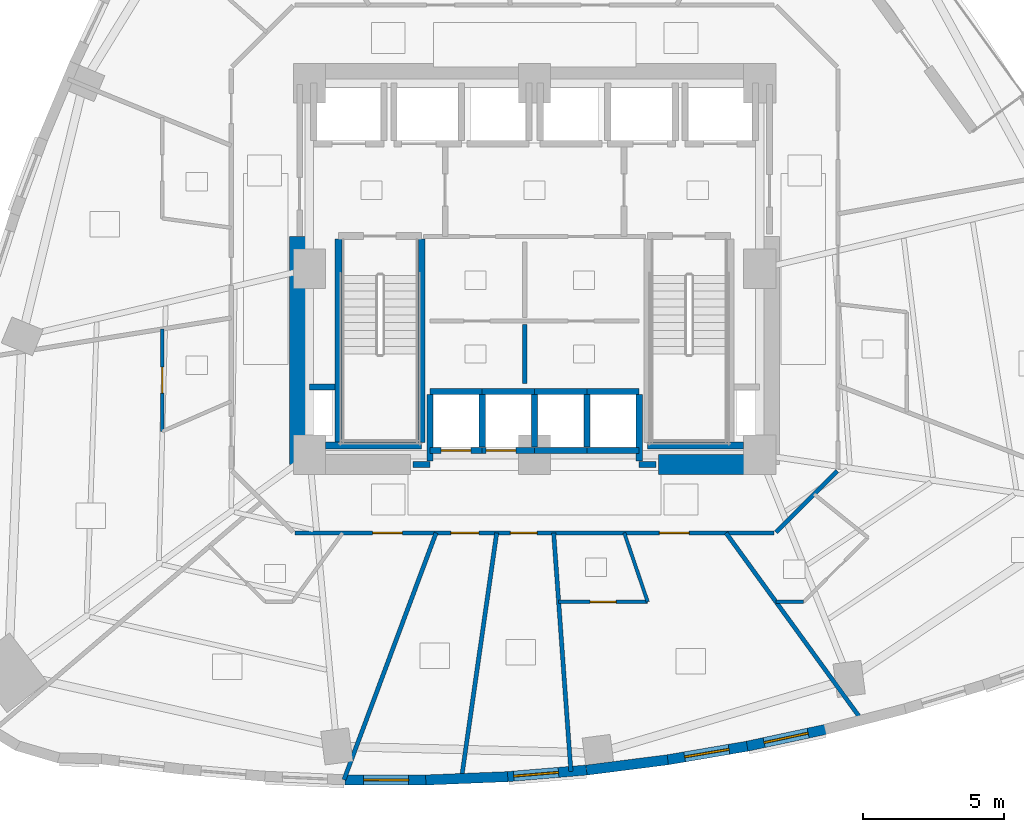
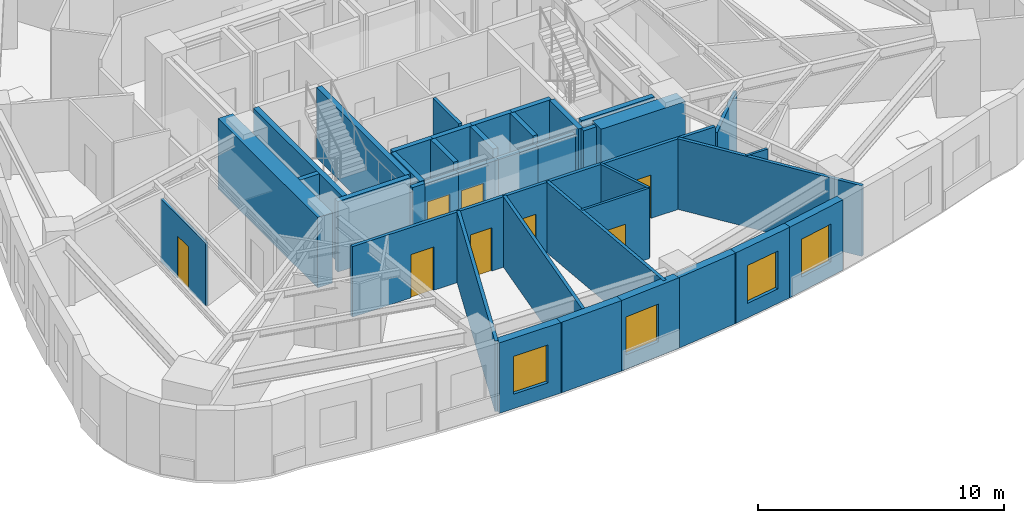
# One storey, part 8 of 15: 39 walls, 8 doors, 4 windows, 12 openings.
"""IFC4 building model written with IfcOpenShell, lengths in metres."""

from ifc_helpers import new_model, si_unit, direction, frame, frame_2d, origin, place, context, subcontext, project, spatial, rectangle, extrude, material, layer, layer_set, type_object, element, fill, save


model = new_model("IFC4")

# Units and contexts
model_context = context("Model", 3, precision=1e-05, world=origin(), true_north=direction((0.0, 1.0)))
body_context = subcontext(model_context, "Body", "Model", "MODEL_VIEW")
ifc_project = project(units=[si_unit("LENGTHUNIT", "METRE"), si_unit("AREAUNIT", "SQUARE_METRE"), si_unit("VOLUMEUNIT", "CUBIC_METRE"), si_unit("PLANEANGLEUNIT", "RADIAN"), si_unit("MASSUNIT", "GRAM", prefix="KILO")], contexts=[model_context])

# Site, building, storey
site_placement = place(None, origin())
site = spatial("IfcSite", under=ifc_project, at=site_placement, CompositionType="ELEMENT")
building_placement = place(site_placement, origin())
building = spatial("IfcBuilding", under=site, at=building_placement, Name="Ndelora Gate Hotel", CompositionType="ELEMENT")
storey_placement = place(building_placement, frame((0.0, 0.0, 53.0)))
storey = spatial("IfcBuildingStorey", under=building, at=storey_placement, Name="L12", CompositionType="ELEMENT", Elevation=53.0)

# Wall, opening, window
ifc_material_1 = material(Name="Clay Brick Masonry", Category="masonry")
ifc_layer_1 = layer(ifc_material_1, 0.360107421875)
ifc_layer_set_1 = layer_set([ifc_layer_1], Name="Clay Brick Masonry")
wall_type_1 = type_object("IfcWallType", Name="WL-BRICK-360", PredefinedType="SOLIDWALL", material=ifc_layer_set_1)
wall_1_placement = place(storey_placement, frame((-3.81591796875, -18.160400390625, 0.0), z_axis=(0.0, 0.0, 1.0), x_axis=(-0.999998606938, 0.001669168097, 0.0)))
wall_1 = element("IfcWall", 1, at=wall_1_placement, inside=storey, type_object=wall_type_1, Name="L12 Tower Brick Pier-and-Spandrel Wall TWR-32", PredefinedType="SOLIDWALL", context=body_context, shape_type="SweptSolid", body=[
    extrude(rectangle(XDim=2.92529296875, YDim=0.360107421875, at=frame_2d((1.462646484375, 0.0))), origin(), (0.0, 0.0, 1.0), 3.5),
])
opening_1_placement = place(wall_1_placement, frame((0.66259765625, 0.0, 0.719970703125)))
opening_1 = element("IfcOpeningElement", 2, at=opening_1_placement, cuts=wall_1, Name="Opening W01", PredefinedType="OPENING", context=body_context, shape_type="SweptSolid", body=[
    extrude(rectangle(XDim=1.60009765625, YDim=1.8798828125, at=frame_2d((0.800048828125, 0.93994140625))), frame((0.0, 0.18994140625, 0.0), z_axis=(0.0, -1.0, 0.0), x_axis=(1.0, 0.0, 0.0)), (0.0, 0.0, 1.0), 0.380126953125),
])
ifc_material_2 = material(Name="Insulated Low-E Double Glazing in Bronze Aluminium Frame", Category="aluminium")
window_type_1 = type_object("IfcWindowType", Name="WN-DEEP-1600", PartitioningType="SINGLE_PANEL", PredefinedType="WINDOW", material=ifc_material_2)
window_1_placement = place(opening_1_placement, origin())
window_1 = element("IfcWindow", 3, at=window_1_placement, inside=storey, type_object=window_type_1, Name="L12 Deep-Set Brick-Pier Window W01", OverallHeight=1.8798828125, OverallWidth=1.60009765625, PartitioningType="SINGLE_PANEL", PredefinedType="WINDOW", context=body_context, shape_type="SweptSolid", body=[
    extrude(rectangle(XDim=1.60009765625, YDim=1.8798828125, at=frame_2d((0.800048828125, 0.93994140625))), frame((0.0, 0.030029296875, 0.0), z_axis=(0.0, -1.0, 0.0), x_axis=(1.0, 0.0, 0.0)), (0.0, 0.0, 1.0), 0.06005859375),
])
fill(opening_1, window_1)

# Wall
wall_2_placement = place(storey_placement, frame((-0.953369140625, -18.04296875, 0.0), z_axis=(0.0, 0.0, 1.0), x_axis=(-0.99917451841, -0.040623660108, 0.0)))
element("IfcWall", 4, at=wall_2_placement, inside=storey, type_object=wall_type_1, Name="L12 Tower Brick Pier-and-Spandrel Wall TWR-33", PredefinedType="SOLIDWALL", context=body_context, shape_type="SweptSolid", body=[
    extrude(rectangle(XDim=2.914794921875, YDim=0.360107421875, at=frame_2d((1.45751953125, 0.0))), origin(), (0.0, 0.0, 1.0), 3.5),
])

# Wall, opening, window
wall_3_placement = place(storey_placement, frame((1.896484375, -17.8037109375, 0.0), z_axis=(0.0, 0.0, 1.0), x_axis=(-0.996530117069, -0.08323296086, 0.0)))
wall_3 = element("IfcWall", 5, at=wall_3_placement, inside=storey, type_object=wall_type_1, Name="L12 Tower Brick Pier-and-Spandrel Wall TWR-34", PredefinedType="SOLIDWALL", context=body_context, shape_type="SweptSolid", body=[
    extrude(rectangle(XDim=2.90966796875, YDim=0.360107421875, at=frame_2d((1.454833984375, 0.0))), origin(), (0.0, 0.0, 1.0), 3.5),
])
opening_2_placement = place(wall_3_placement, frame((1.0498046875, 0.0, 0.719970703125)))
opening_2 = element("IfcOpeningElement", 6, at=opening_2_placement, cuts=wall_3, Name="Opening W01", PredefinedType="OPENING", context=body_context, shape_type="SweptSolid", body=[
    extrude(rectangle(XDim=1.60009765625, YDim=1.8798828125, at=frame_2d((0.800048828125, 0.93994140625))), frame((0.0, 0.18994140625, 0.0), z_axis=(0.0, -1.0, 0.0), x_axis=(1.0, 0.0, 0.0)), (0.0, 0.0, 1.0), 0.380126953125),
])
window_2_placement = place(opening_2_placement, origin())
window_2 = element("IfcWindow", 7, at=window_2_placement, inside=storey, type_object=window_type_1, Name="L12 Deep-Set Brick-Pier Window W01", OverallHeight=1.8798828125, OverallWidth=1.60009765625, PartitioningType="SINGLE_PANEL", PredefinedType="WINDOW", context=body_context, shape_type="SweptSolid", body=[
    extrude(rectangle(XDim=1.60009765625, YDim=1.8798828125, at=frame_2d((0.800048828125, 0.93994140625))), frame((0.0, 0.030029296875, 0.0), z_axis=(0.0, -1.0, 0.0), x_axis=(1.0, 0.0, 0.0)), (0.0, 0.0, 1.0), 0.06005859375),
])
fill(opening_2, window_2)

# Wall
wall_4_placement = place(storey_placement, frame((4.733154296875, -17.443115234375, 0.0), z_axis=(0.0, 0.0, 1.0), x_axis=(-0.992068644888, -0.125697270578, 0.0)))
element("IfcWall", 8, at=wall_4_placement, inside=storey, type_object=wall_type_1, Name="L12 Tower Brick Pier-and-Spandrel Wall TWR-35", PredefinedType="SOLIDWALL", context=body_context, shape_type="SweptSolid", body=[
    extrude(rectangle(XDim=2.90966796875, YDim=0.360107421875, at=frame_2d((1.454833984375, 0.0))), origin(), (0.0, 0.0, 1.0), 3.5),
])

# Wall, opening, window
wall_5_placement = place(storey_placement, frame((7.55712890625, -16.960693359375, 0.0), z_axis=(0.0, 0.0, 1.0), x_axis=(-0.985782819652, -0.168024499637, 0.0)))
wall_5 = element("IfcWall", 9, at=wall_5_placement, inside=storey, type_object=wall_type_1, Name="L12 Tower Brick Pier-and-Spandrel Wall TWR-36", PredefinedType="SOLIDWALL", context=body_context, shape_type="SweptSolid", body=[
    extrude(rectangle(XDim=2.914794921875, YDim=0.360107421875, at=frame_2d((1.45751953125, 0.0))), origin(), (0.0, 0.0, 1.0), 3.5),
])
opening_3_placement = place(wall_5_placement, frame((0.657470703125, 0.0, 0.719970703125)))
opening_3 = element("IfcOpeningElement", 10, at=opening_3_placement, cuts=wall_5, Name="Opening W01", PredefinedType="OPENING", context=body_context, shape_type="SweptSolid", body=[
    extrude(rectangle(XDim=1.60009765625, YDim=1.8798828125, at=frame_2d((0.800048828125, 0.93994140625))), frame((0.0, 0.18994140625, 0.0), z_axis=(0.0, -1.0, 0.0), x_axis=(1.0, 0.0, 0.0)), (0.0, 0.0, 1.0), 0.380126953125),
])
window_3_placement = place(opening_3_placement, origin())
window_3 = element("IfcWindow", 11, at=window_3_placement, inside=storey, type_object=window_type_1, Name="L12 Deep-Set Brick-Pier Window W01", OverallHeight=1.8798828125, OverallWidth=1.60009765625, PartitioningType="SINGLE_PANEL", PredefinedType="WINDOW", context=body_context, shape_type="SweptSolid", body=[
    extrude(rectangle(XDim=1.60009765625, YDim=1.8798828125, at=frame_2d((0.800048828125, 0.93994140625))), frame((0.0, 0.030029296875, 0.0), z_axis=(0.0, -1.0, 0.0), x_axis=(1.0, 0.0, 0.0)), (0.0, 0.0, 1.0), 0.06005859375),
])
fill(opening_3, window_3)

wall_6_placement = place(storey_placement, frame((10.368408203125, -16.357177734375, 0.0), z_axis=(0.0, 0.0, 1.0), x_axis=(-0.977791419792, -0.209580388826, 0.0)))
wall_6 = element("IfcWall", 12, at=wall_6_placement, inside=storey, type_object=wall_type_1, Name="L12 Tower Brick Pier-and-Spandrel Wall TWR-37", PredefinedType="SOLIDWALL", context=body_context, shape_type="SweptSolid", body=[
    extrude(rectangle(XDim=2.925048828125, YDim=0.360107421875, at=frame_2d((1.46240234375, 0.0))), origin(), (0.0, 0.0, 1.0), 3.5),
])
opening_4_placement = place(wall_6_placement, frame((0.66259765625, 0.0, 0.719970703125)))
opening_4 = element("IfcOpeningElement", 13, at=opening_4_placement, cuts=wall_6, Name="Opening W03", PredefinedType="OPENING", context=body_context, shape_type="SweptSolid", body=[
    extrude(rectangle(XDim=1.60009765625, YDim=1.8798828125, at=frame_2d((0.800048828125, 0.93994140625))), frame((0.0, 0.18994140625, 0.0), z_axis=(0.0, -1.0, 0.0), x_axis=(1.0, 0.0, 0.0)), (0.0, 0.0, 1.0), 0.380126953125),
])
window_type_2 = type_object("IfcWindowType", Name="WN-CORN-2100", PartitioningType="SINGLE_PANEL", PredefinedType="WINDOW", material=ifc_material_2)
window_4_placement = place(opening_4_placement, origin())
window_4 = element("IfcWindow", 14, at=window_4_placement, inside=storey, type_object=window_type_2, Name="L12 Deep-Set Brick-Pier Window W03", OverallHeight=1.8798828125, OverallWidth=1.60009765625, PartitioningType="SINGLE_PANEL", PredefinedType="WINDOW", context=body_context, shape_type="SweptSolid", body=[
    extrude(rectangle(XDim=1.60009765625, YDim=1.8798828125, at=frame_2d((0.800048828125, 0.93994140625))), frame((0.0, 0.030029296875, 0.0), z_axis=(0.0, -1.0, 0.0), x_axis=(1.0, 0.0, 0.0)), (0.0, 0.0, 1.0), 0.06005859375),
])
fill(opening_4, window_4)

# Walls
ifc_material_3 = material(Name="Concrete C60/75", Category="concrete")
ifc_layer_2 = layer(ifc_material_3, 0.699951171875)
ifc_layer_set_2 = layer_set([ifc_layer_2], Name="Concrete C60/75")
wall_type_2 = type_object("IfcWallType", Name="WL-CORE-700", PredefinedType="SHEAR", material=ifc_layer_set_2)
wall_7_placement = place(storey_placement, frame((4.39990234375, -6.949951171875, 0.0), z_axis=(0.0, 0.0, 1.0), x_axis=(1.0, 0.0, 0.0)))
element("IfcWall", 15, at=wall_7_placement, inside=storey, type_object=wall_type_2, Name="L12 Core Shear Wall S-E", PredefinedType="SHEAR", context=body_context, shape_type="SweptSolid", body=[
    extrude(rectangle(XDim=3.9501953125, YDim=0.699951171875, at=frame_2d((1.97509765625, 0.0))), origin(), (0.0, 0.0, 1.0), 3.5),
])
wall_8_placement = place(storey_placement, frame((-8.35009765625, -6.949951171875, 0.0), z_axis=(0.0, 0.0, 1.0), x_axis=(0.0, 1.0, 0.0)))
element("IfcWall", 16, at=wall_8_placement, inside=storey, type_object=wall_type_2, Name="L12 Core Shear Wall W", PredefinedType="SHEAR", context=body_context, shape_type="SweptSolid", body=[
    extrude(rectangle(XDim=8.099853515625, YDim=0.699951171875, at=frame_2d((4.0498046875, 0.0))), origin(), (0.0, 0.0, 1.0), 3.5),
])
ifc_material_4 = material(Name="Concrete C40/50", Category="concrete")
ifc_layer_3 = layer(ifc_material_4, 0.199951171875)
ifc_layer_set_3 = layer_set([ifc_layer_3], Name="Concrete C40/50")
wall_type_3 = type_object("IfcWallType", Name="WL-FIRE-200", PredefinedType="PARTITIONING", material=ifc_layer_set_3)
for number, where, z_axis, x_axis, name in (
    (17, (-4.320068359375, -6.949951171875, 0.0), (0.0, 0.0, 1.0), (1.0, 0.0, 0.0), "L12 Interior Wall IW-2"),
    (18, (3.719970703125, -6.949951171875, 0.0), (0.0, 0.0, 1.0), (1.0, 0.0, 0.0), "L12 Interior Wall IW-2"),
):
    element("IfcWall", number, at=place(storey_placement, frame(where, z_axis=z_axis, x_axis=x_axis)), inside=storey, type_object=wall_type_3, Name=name, PredefinedType="PARTITIONING", context=body_context, shape_type="SweptSolid", body=[
        extrude(rectangle(XDim=0.60009765625, YDim=0.199951171875, at=frame_2d((0.300048828125, 0.0))), origin(), (0.0, 0.0, 1.0), 3.5),
    ])
ifc_material_5 = material(Name="Fire-Rated Gypsum Stud Partition", Category="gypsum")
ifc_layer_4 = layer(ifc_material_5, 0.14990234375)
ifc_layer_set_4 = layer_set([ifc_layer_4], Name="Fire-Rated Gypsum Stud Partition")
wall_type_4 = type_object("IfcWallType", Name="WL-PART-150", PredefinedType="PARTITIONING", material=ifc_layer_set_4)
wall_9_placement = place(storey_placement, frame((-0.35009765625, -4.080078125, 0.0), z_axis=(0.0, 0.0, 1.0), x_axis=(0.0, 1.0, 0.0)))
element("IfcWall", 19, at=wall_9_placement, inside=storey, type_object=wall_type_4, Name="L12 Interior Wall IW-5", PredefinedType="PARTITIONING", context=body_context, shape_type="SweptSolid", body=[
    extrude(rectangle(XDim=2.110107421875, YDim=0.14990234375, at=frame_2d((1.05517578125, 0.0))), origin(), (0.0, 0.0, 1.0), 3.5),
])

# Wall, openings, doors
wall_10_placement = place(storey_placement, frame((8.510009765625, -9.3798828125, 0.0), z_axis=(0.0, 0.0, 1.0), x_axis=(-1.0, 0.0, 0.0)))
wall_10 = element("IfcWall", 20, at=wall_10_placement, inside=storey, type_object=wall_type_4, Name="L12 Interior Wall IW-5", PredefinedType="PARTITIONING", context=body_context, shape_type="SweptSolid", body=[
    extrude(rectangle(XDim=17.02001953125, YDim=0.14990234375, at=frame_2d((8.510009765625, 0.0))), origin(), (0.0, 0.0, 1.0), 3.5),
])
opening_5_placement = place(wall_10_placement, frame((8.4189453125, 0.0, 0.0)))
opening_5 = element("IfcOpeningElement", 21, at=opening_5_placement, cuts=wall_10, Name="Opening D05", PredefinedType="OPENING", context=body_context, shape_type="SweptSolid", body=[
    extrude(rectangle(XDim=0.949951171875, YDim=2.10009765625, at=frame_2d((0.47509765625, 1.050048828125))), frame((0.0, 0.0849609375, 0.0), z_axis=(0.0, -1.0, 0.0), x_axis=(1.0, 0.0, 0.0)), (0.0, 0.0, 1.0), 0.169921875),
])
opening_6_placement = place(wall_10_placement, frame((10.48779296875, 0.0, 0.0)))
opening_6 = element("IfcOpeningElement", 22, at=opening_6_placement, cuts=wall_10, Name="Opening D01", PredefinedType="OPENING", context=body_context, shape_type="SweptSolid", body=[
    extrude(rectangle(XDim=1.0, YDim=2.14990234375, at=frame_2d((0.5, 1.074951171875))), frame((0.0, 0.0849609375, 0.0), z_axis=(0.0, -1.0, 0.0), x_axis=(1.0, 0.0, 0.0)), (0.0, 0.0, 1.0), 0.169921875),
])
opening_7_placement = place(wall_10_placement, frame((3.015380859375, 0.0, 0.0)))
opening_7 = element("IfcOpeningElement", 23, at=opening_7_placement, cuts=wall_10, Name="Opening D07", PredefinedType="OPENING", context=body_context, shape_type="SweptSolid", body=[
    extrude(rectangle(XDim=1.06005859375, YDim=2.14990234375, at=frame_2d((0.530029296875, 1.074951171875))), frame((0.0, 0.0849609375, 0.0), z_axis=(0.0, -1.0, 0.0), x_axis=(1.0, 0.0, 0.0)), (0.0, 0.0, 1.0), 0.169921875),
])
opening_8_placement = place(wall_10_placement, frame((13.208984375, 0.0, 0.0)))
opening_8 = element("IfcOpeningElement", 24, at=opening_8_placement, cuts=wall_10, Name="Opening D07", PredefinedType="OPENING", context=body_context, shape_type="SweptSolid", body=[
    extrude(rectangle(XDim=1.06005859375, YDim=2.14990234375, at=frame_2d((0.530029296875, 1.074951171875))), frame((0.0, 0.0849609375, 0.0), z_axis=(0.0, -1.0, 0.0), x_axis=(1.0, 0.0, 0.0)), (0.0, 0.0, 1.0), 0.169921875),
])
ifc_material_6 = material(Name="Accessible Restroom Wide-Clearance Door", Category="wood")
door_type_1 = type_object("IfcDoorType", Name="DR-ACC-950", OperationType="SINGLE_SWING_LEFT", PredefinedType="DOOR", material=ifc_material_6)
door_1_placement = place(opening_5_placement, origin())
door_1 = element("IfcDoor", 25, at=door_1_placement, inside=storey, type_object=door_type_1, Name="L12 Accessible WC Entrance Door", OperationType="SINGLE_SWING_RIGHT", OverallHeight=2.10009765625, OverallWidth=0.949951171875, PredefinedType="DOOR", context=body_context, shape_type="SweptSolid", body=[
    extrude(rectangle(XDim=0.949951171875, YDim=2.10009765625, at=frame_2d((0.47509765625, 1.050048828125))), frame((0.0, 0.02490234375, 0.0), z_axis=(0.0, -1.0, 0.0), x_axis=(1.0, 0.0, 0.0)), (0.0, 0.0, 1.0), 0.050048828125),
])
fill(opening_5, door_1)
ifc_material_7 = material(Name="Acoustic Hardwood Guest Entrance Door", Category="wood")
door_type_2 = type_object("IfcDoorType", Name="DR-COR-1000", OperationType="SINGLE_SWING_LEFT", PredefinedType="DOOR", material=ifc_material_7)
door_2_placement = place(opening_6_placement, origin())
door_2 = element("IfcDoor", 26, at=door_2_placement, inside=storey, type_object=door_type_2, Name="L12 Housekeeping and Linen Room Entrance Door", OperationType="SINGLE_SWING_LEFT", OverallHeight=2.14990234375, OverallWidth=1.0, PredefinedType="DOOR", context=body_context, shape_type="SweptSolid", body=[
    extrude(rectangle(XDim=1.0, YDim=2.14990234375, at=frame_2d((0.5, 1.074951171875))), frame((0.0, 0.02490234375, 0.0), z_axis=(0.0, -1.0, 0.0), x_axis=(1.0, 0.0, 0.0)), (0.0, 0.0, 1.0), 0.050048828125),
])
fill(opening_6, door_2)
ifc_material_8 = material(Name="Diplomatic Suite Acoustic Entrance Door", Category="wood")
door_type_3 = type_object("IfcDoorType", Name="DR-SUITE-1060", OperationType="SINGLE_SWING_LEFT", PredefinedType="DOOR", material=ifc_material_8)
door_3_placement = place(opening_7_placement, origin())
door_3 = element("IfcDoor", 27, at=door_3_placement, inside=storey, type_object=door_type_3, Name="L12 Corner Panorama Suite 1501 Entrance Door", OperationType="SINGLE_SWING_RIGHT", OverallHeight=2.14990234375, OverallWidth=1.06005859375, PredefinedType="DOOR", context=body_context, shape_type="SweptSolid", body=[
    extrude(rectangle(XDim=1.06005859375, YDim=2.14990234375, at=frame_2d((0.530029296875, 1.074951171875))), frame((0.0, 0.02490234375, 0.0), z_axis=(0.0, -1.0, 0.0), x_axis=(1.0, 0.0, 0.0)), (0.0, 0.0, 1.0), 0.050048828125),
])
fill(opening_7, door_3)
door_4_placement = place(opening_8_placement, origin())
door_4 = element("IfcDoor", 28, at=door_4_placement, inside=storey, type_object=door_type_3, Name="L12 Twin Junior Suite 1507 Entrance Door", OperationType="SINGLE_SWING_RIGHT", OverallHeight=2.14990234375, OverallWidth=1.06005859375, PredefinedType="DOOR", context=body_context, shape_type="SweptSolid", body=[
    extrude(rectangle(XDim=1.06005859375, YDim=2.14990234375, at=frame_2d((0.530029296875, 1.074951171875))), frame((0.0, 0.02490234375, 0.0), z_axis=(0.0, -1.0, 0.0), x_axis=(1.0, 0.0, 0.0)), (0.0, 0.0, 1.0), 0.050048828125),
])
fill(opening_8, door_4)

# Walls
wall_11_placement = place(storey_placement, frame((10.751708984375, -7.17822265625, 0.0), z_axis=(0.0, 0.0, 1.0), x_axis=(-0.707067066127, -0.707146494016, 0.0)))
element("IfcWall", 29, at=wall_11_placement, inside=storey, type_object=wall_type_4, Name="L12 Interior Wall IW-5", PredefinedType="PARTITIONING", context=body_context, shape_type="SweptSolid", body=[
    extrude(rectangle(XDim=3.07373046875, YDim=0.14990234375, at=frame_2d((1.536865234375, 0.0))), origin(), (0.0, 0.0, 1.0), 3.1201171875),
])
wall_12_placement = place(storey_placement, frame((0.678466796875, -9.3798828125, 0.0), z_axis=(0.0, 0.0, 1.0), x_axis=(0.072123053532, -0.997395741493, 0.0)))
element("IfcWall", 30, at=wall_12_placement, inside=storey, type_object=wall_type_4, Name="L12 Interior Wall IW-5", PredefinedType="PARTITIONING", context=body_context, shape_type="SweptSolid", body=[
    extrude(rectangle(XDim=8.49658203125, YDim=0.14990234375, at=frame_2d((4.248291015625, 0.0))), origin(), (0.0, 0.0, 1.0), 3.5),
])
wall_13_placement = place(storey_placement, frame((6.802490234375, -9.3798828125, 0.0), z_axis=(0.0, 0.0, 1.0), x_axis=(0.587056194983, -0.80954618394, 0.0)))
element("IfcWall", 31, at=wall_13_placement, inside=storey, type_object=wall_type_4, Name="L12 Interior Wall IW-5", PredefinedType="PARTITIONING", context=body_context, shape_type="SweptSolid", body=[
    extrude(rectangle(XDim=8.215576171875, YDim=0.14990234375, at=frame_2d((4.10791015625, 0.0))), origin(), (0.0, 0.0, 1.0), 3.5),
])
wall_14_placement = place(storey_placement, frame((-3.49951171875, -9.3798828125, 0.0), z_axis=(0.0, 0.0, 1.0), x_axis=(-0.349539963134, -0.936921455711, 0.0)))
element("IfcWall", 32, at=wall_14_placement, inside=storey, type_object=wall_type_4, Name="L12 Interior Wall IW-5", PredefinedType="PARTITIONING", context=body_context, shape_type="SweptSolid", body=[
    extrude(rectangle(XDim=9.363525390625, YDim=0.14990234375, at=frame_2d((4.681640625, 0.0))), origin(), (0.0, 0.0, 1.0), 3.5),
])
wall_15_placement = place(storey_placement, frame((-1.34521484375, -9.3798828125, 0.0), z_axis=(0.0, 0.0, 1.0), x_axis=(-0.141956162639, -0.989872945326, 0.0)))
element("IfcWall", 33, at=wall_15_placement, inside=storey, type_object=wall_type_4, Name="L12 Interior Wall IW-5", PredefinedType="PARTITIONING", context=body_context, shape_type="SweptSolid", body=[
    extrude(rectangle(XDim=8.8193359375, YDim=0.14990234375, at=frame_2d((4.40966796875, 0.0))), origin(), (0.0, 0.0, 1.0), 3.5),
])
ifc_layer_5 = layer(ifc_material_4, 0.219970703125)
ifc_layer_set_5 = layer_set([ifc_layer_5], Name="Concrete C40/50")
wall_type_5 = type_object("IfcWallType", Name="WL-SHAFT-220", PredefinedType="PARTITIONING", material=ifc_layer_set_5)
wall_16_placement = place(storey_placement, frame((-8.0, -4.199951171875, 0.0), z_axis=(0.0, 0.0, 1.0), x_axis=(1.0, 0.0, 0.0)))
element("IfcWall", 34, at=wall_16_placement, inside=storey, type_object=wall_type_5, Name="L12 Interior Wall IW-1", PredefinedType="PARTITIONING", context=body_context, shape_type="SweptSolid", body=[
    extrude(rectangle(XDim=0.909912109375, YDim=0.219970703125, at=frame_2d((0.455078125, 0.0))), origin(), (0.0, 0.0, 1.0), 3.5),
])

# Wall, opening, door
wall_17_placement = place(storey_placement, frame((-3.719970703125, -6.449951171875, 0.0), z_axis=(0.0, 0.0, 1.0), x_axis=(1.0, 0.0, 0.0)))
wall_17 = element("IfcWall", 35, at=wall_17_placement, inside=storey, type_object=wall_type_5, Name="L12 Interior Wall IW-1", PredefinedType="PARTITIONING", context=body_context, shape_type="SweptSolid", body=[
    extrude(rectangle(XDim=1.85986328125, YDim=0.219970703125, at=frame_2d((0.929931640625, 0.0))), origin(), (0.0, 0.0, 1.0), 3.080078125),
])
opening_9_placement = place(wall_17_placement, frame((0.39990234375, 0.0, 0.0)))
opening_9 = element("IfcOpeningElement", 36, at=opening_9_placement, cuts=wall_17, Name="Opening LD1", PredefinedType="OPENING", context=body_context, shape_type="SweptSolid", body=[
    extrude(rectangle(XDim=1.06005859375, YDim=2.14990234375, at=frame_2d((0.530029296875, 1.074951171875))), frame((0.0, 0.1201171875, 0.0), z_axis=(0.0, -1.0, 0.0), x_axis=(1.0, 0.0, 0.0)), (0.0, 0.0, 1.0), 0.239990234375),
])
ifc_material_9 = material(Name="Brushed Bronze Stainless Lift Landing Door", Category="metal")
door_type_4 = type_object("IfcDoorType", Name="DR-LD1", OperationType="DOUBLE_DOOR_SLIDING", PredefinedType="DOOR", material=ifc_material_9)
door_5_placement = place(opening_9_placement, origin())
door_5 = element("IfcDoor", 37, at=door_5_placement, inside=storey, type_object=door_type_4, Name="L12 Lift Landing Sliding Door P1A", OperationType="DOUBLE_DOOR_SLIDING", OverallHeight=2.14990234375, OverallWidth=1.06005859375, PredefinedType="DOOR", context=body_context, shape_type="SweptSolid", body=[
    extrude(rectangle(XDim=1.06005859375, YDim=2.14990234375, at=frame_2d((0.530029296875, 1.074951171875))), frame((0.0, 0.02490234375, 0.0), z_axis=(0.0, -1.0, 0.0), x_axis=(1.0, 0.0, 0.0)), (0.0, 0.0, 1.0), 0.050048828125),
])
fill(opening_9, door_5)

# Walls
wall_18_placement = place(storey_placement, frame((-3.719970703125, -4.35009765625, 0.0), z_axis=(0.0, 0.0, 1.0), x_axis=(1.0, 0.0, 0.0)))
element("IfcWall", 38, at=wall_18_placement, inside=storey, type_object=wall_type_5, Name="L12 Interior Wall IW-1", PredefinedType="PARTITIONING", context=body_context, shape_type="SweptSolid", body=[
    extrude(rectangle(XDim=1.85986328125, YDim=0.219970703125, at=frame_2d((0.929931640625, 0.0))), origin(), (0.0, 0.0, 1.0), 3.5),
])
wall_19_placement = place(storey_placement, frame((-3.719970703125, -6.830078125, 0.0), z_axis=(0.0, 0.0, 1.0), x_axis=(0.0, 1.0, 0.0)))
element("IfcWall", 39, at=wall_19_placement, inside=storey, type_object=wall_type_5, Name="L12 Interior Wall IW-1", PredefinedType="PARTITIONING", context=body_context, shape_type="SweptSolid", body=[
    extrude(rectangle(XDim=2.360107421875, YDim=0.219970703125, at=frame_2d((1.18017578125, 0.0))), origin(), (0.0, 0.0, 1.0), 3.5),
])
wall_20_placement = place(storey_placement, frame((-1.860107421875, -6.330078125, 0.0), z_axis=(0.0, 0.0, 1.0), x_axis=(0.0, 1.0, 0.0)))
element("IfcWall", 40, at=wall_20_placement, inside=storey, type_object=wall_type_5, Name="L12 Interior Wall IW-1", PredefinedType="PARTITIONING", context=body_context, shape_type="SweptSolid", body=[
    extrude(rectangle(XDim=1.860107421875, YDim=0.219970703125, at=frame_2d((0.93017578125, 0.0))), origin(), (0.0, 0.0, 1.0), 3.5),
])

# Wall, opening, door
wall_21_placement = place(storey_placement, frame((-1.860107421875, -6.449951171875, 0.0), z_axis=(0.0, 0.0, 1.0), x_axis=(1.0, 0.0, 0.0)))
wall_21 = element("IfcWall", 41, at=wall_21_placement, inside=storey, type_object=wall_type_5, Name="L12 Interior Wall IW-1", PredefinedType="PARTITIONING", context=body_context, shape_type="SweptSolid", body=[
    extrude(rectangle(XDim=1.860107421875, YDim=0.219970703125, at=frame_2d((0.93017578125, 0.0))), origin(), (0.0, 0.0, 1.0), 3.080078125),
])
opening_10_placement = place(wall_21_placement, frame((0.139892578125, 0.0, 0.0)))
opening_10 = element("IfcOpeningElement", 42, at=opening_10_placement, cuts=wall_21, Name="Opening LD1", PredefinedType="OPENING", context=body_context, shape_type="SweptSolid", body=[
    extrude(rectangle(XDim=1.06005859375, YDim=2.14990234375, at=frame_2d((0.530029296875, 1.074951171875))), frame((0.0, 0.1201171875, 0.0), z_axis=(0.0, -1.0, 0.0), x_axis=(1.0, 0.0, 0.0)), (0.0, 0.0, 1.0), 0.239990234375),
])
door_6_placement = place(opening_10_placement, origin())
door_6 = element("IfcDoor", 43, at=door_6_placement, inside=storey, type_object=door_type_4, Name="L12 Lift Landing Sliding Door P1B", OperationType="DOUBLE_DOOR_SLIDING", OverallHeight=2.14990234375, OverallWidth=1.06005859375, PredefinedType="DOOR", context=body_context, shape_type="SweptSolid", body=[
    extrude(rectangle(XDim=1.06005859375, YDim=2.14990234375, at=frame_2d((0.530029296875, 1.074951171875))), frame((0.0, 0.02490234375, 0.0), z_axis=(0.0, -1.0, 0.0), x_axis=(1.0, 0.0, 0.0)), (0.0, 0.0, 1.0), 0.050048828125),
])
fill(opening_10, door_6)

# Walls
for number, where, z_axis, x_axis, name in (
    (44, (-1.860107421875, -4.35009765625, 0.0), (0.0, 0.0, 1.0), (1.0, 0.0, 0.0), "L12 Interior Wall IW-1"),
    (45, (0.0, -6.330078125, 0.0), (0.0, 0.0, 1.0), (0.0, 1.0, 0.0), "L12 Interior Wall IW-1"),
):
    element("IfcWall", number, at=place(storey_placement, frame(where, z_axis=z_axis, x_axis=x_axis)), inside=storey, type_object=wall_type_5, Name=name, PredefinedType="PARTITIONING", context=body_context, shape_type="SweptSolid", body=[
        extrude(rectangle(XDim=1.860107421875, YDim=0.219970703125, at=frame_2d((0.93017578125, 0.0))), origin(), (0.0, 0.0, 1.0), 3.5),
    ])
wall_22_placement = place(storey_placement, frame((0.0, -6.449951171875, 0.0), z_axis=(0.0, 0.0, 1.0), x_axis=(1.0, 0.0, 0.0)))
element("IfcWall", 46, at=wall_22_placement, inside=storey, type_object=wall_type_5, Name="L12 Interior Wall IW-1", PredefinedType="PARTITIONING", context=body_context, shape_type="SweptSolid", body=[
    extrude(rectangle(XDim=1.860107421875, YDim=0.219970703125, at=frame_2d((0.93017578125, 0.0))), origin(), (0.0, 0.0, 1.0), 3.080078125),
])
for number, where, z_axis, x_axis, name in (
    (47, (0.0, -4.35009765625, 0.0), (0.0, 0.0, 1.0), (1.0, 0.0, 0.0), "L12 Interior Wall IW-1"),
    (48, (1.860107421875, -6.330078125, 0.0), (0.0, 0.0, 1.0), (0.0, 1.0, 0.0), "L12 Interior Wall IW-1"),
):
    element("IfcWall", number, at=place(storey_placement, frame(where, z_axis=z_axis, x_axis=x_axis)), inside=storey, type_object=wall_type_5, Name=name, PredefinedType="PARTITIONING", context=body_context, shape_type="SweptSolid", body=[
        extrude(rectangle(XDim=1.860107421875, YDim=0.219970703125, at=frame_2d((0.93017578125, 0.0))), origin(), (0.0, 0.0, 1.0), 3.5),
    ])
wall_23_placement = place(storey_placement, frame((1.860107421875, -6.449951171875, 0.0), z_axis=(0.0, 0.0, 1.0), x_axis=(1.0, 0.0, 0.0)))
element("IfcWall", 49, at=wall_23_placement, inside=storey, type_object=wall_type_5, Name="L12 Interior Wall IW-1", PredefinedType="PARTITIONING", context=body_context, shape_type="SweptSolid", body=[
    extrude(rectangle(XDim=1.85986328125, YDim=0.219970703125, at=frame_2d((0.929931640625, 0.0))), origin(), (0.0, 0.0, 1.0), 3.080078125),
])
wall_24_placement = place(storey_placement, frame((1.860107421875, -4.35009765625, 0.0), z_axis=(0.0, 0.0, 1.0), x_axis=(1.0, 0.0, 0.0)))
element("IfcWall", 50, at=wall_24_placement, inside=storey, type_object=wall_type_5, Name="L12 Interior Wall IW-1", PredefinedType="PARTITIONING", context=body_context, shape_type="SweptSolid", body=[
    extrude(rectangle(XDim=1.85986328125, YDim=0.219970703125, at=frame_2d((0.929931640625, 0.0))), origin(), (0.0, 0.0, 1.0), 3.5),
])
wall_25_placement = place(storey_placement, frame((3.719970703125, -6.830078125, 0.0), z_axis=(0.0, 0.0, 1.0), x_axis=(0.0, 1.0, 0.0)))
element("IfcWall", 51, at=wall_25_placement, inside=storey, type_object=wall_type_5, Name="L12 Interior Wall IW-1", PredefinedType="PARTITIONING", context=body_context, shape_type="SweptSolid", body=[
    extrude(rectangle(XDim=2.360107421875, YDim=0.219970703125, at=frame_2d((1.18017578125, 0.0))), origin(), (0.0, 0.0, 1.0), 3.5),
])
ifc_material_10 = material(Name="Concrete C50/60", Category="concrete")
ifc_layer_6 = layer(ifc_material_10, 0.239990234375)
ifc_layer_set_6 = layer_set([ifc_layer_6], Name="Concrete C50/60")
wall_type_6 = type_object("IfcWallType", Name="WL-STAIR-240", PredefinedType="SHEAR", material=ifc_layer_set_6)
wall_26_placement = place(storey_placement, frame((-6.969970703125, -6.159912109375, 0.0), z_axis=(0.0, 0.0, 1.0), x_axis=(0.0, 1.0, 0.0)))
element("IfcWall", 52, at=wall_26_placement, inside=storey, type_object=wall_type_6, Name="L12 Stair Core Shear Wall SW-ST", PredefinedType="SHEAR", context=body_context, shape_type="SweptSolid", body=[
    extrude(rectangle(XDim=7.219970703125, YDim=0.239990234375, at=frame_2d((3.60986328125, 0.0))), origin(), (0.0, 0.0, 1.0), 3.5),
])
wall_27_placement = place(storey_placement, frame((-7.425048828125, -6.27001953125, 0.0), z_axis=(0.0, 0.0, 1.0), x_axis=(1.0, 0.0, 0.0)))
element("IfcWall", 53, at=wall_27_placement, inside=storey, type_object=wall_type_6, Name="L12 Stair Core Shear Wall SW-ST", PredefinedType="SHEAR", context=body_context, shape_type="SweptSolid", body=[
    extrude(rectangle(XDim=3.4150390625, YDim=0.239990234375, at=frame_2d((1.70751953125, 0.0))), origin(), (0.0, 0.0, 1.0), 3.5),
])
wall_28_placement = place(storey_placement, frame((-4.010009765625, -6.159912109375, 0.0), z_axis=(0.0, 0.0, 1.0), x_axis=(0.0, 1.0, 0.0)))
element("IfcWall", 54, at=wall_28_placement, inside=storey, type_object=wall_type_6, Name="L12 Stair Core Shear Wall SW-ST", PredefinedType="SHEAR", context=body_context, shape_type="SweptSolid", body=[
    extrude(rectangle(XDim=7.219970703125, YDim=0.239990234375, at=frame_2d((3.60986328125, 0.0))), origin(), (0.0, 0.0, 1.0), 3.5),
])
wall_29_placement = place(storey_placement, frame((4.010009765625, -6.27001953125, 0.0), z_axis=(0.0, 0.0, 1.0), x_axis=(1.0, 0.0, 0.0)))
element("IfcWall", 55, at=wall_29_placement, inside=storey, type_object=wall_type_6, Name="L12 Stair Core Shear Wall SW-ST", PredefinedType="SHEAR", context=body_context, shape_type="SweptSolid", body=[
    extrude(rectangle(XDim=3.4150390625, YDim=0.239990234375, at=frame_2d((1.70751953125, 0.0))), origin(), (0.0, 0.0, 1.0), 3.5),
])
ifc_material_11 = material(Name="Moisture-Resistant Bathroom Tile Partition", Category="gypsum")
ifc_layer_7 = layer(ifc_material_11, 0.1201171875)
ifc_layer_set_7 = layer_set([ifc_layer_7], Name="Moisture-Resistant Bathroom Tile Partition")
wall_type_7 = type_object("IfcWallType", Name="WL-WET-120", PredefinedType="PARTITIONING", material=ifc_layer_set_7)
wall_30_placement = place(storey_placement, frame((3.187744140625, -9.3798828125, 0.0), z_axis=(0.0, 0.0, 1.0), x_axis=(0.321797870112, -0.946808391804, 0.0)))
element("IfcWall", 56, at=wall_30_placement, inside=storey, type_object=wall_type_7, Name="L12 Interior Wall IW-7", PredefinedType="PARTITIONING", context=body_context, shape_type="SweptSolid", body=[
    extrude(rectangle(XDim=2.587890625, YDim=0.1201171875, at=frame_2d((1.2939453125, 0.0))), origin(), (0.0, 0.0, 1.0), 3.5),
])

# Wall, opening, door
wall_31_placement = place(storey_placement, frame((4.0205078125, -11.830078125, 0.0), z_axis=(0.0, 0.0, 1.0), x_axis=(-1.0, 0.0, 0.0)))
wall_31 = element("IfcWall", 57, at=wall_31_placement, inside=storey, type_object=wall_type_7, Name="L12 Interior Wall IW-7", PredefinedType="PARTITIONING", context=body_context, shape_type="SweptSolid", body=[
    extrude(rectangle(XDim=3.164794921875, YDim=0.1201171875, at=frame_2d((1.58251953125, 0.0))), origin(), (0.0, 0.0, 1.0), 3.5),
])
opening_11_placement = place(wall_31_placement, frame((1.12255859375, 0.0, 0.0)))
opening_11 = element("IfcOpeningElement", 58, at=opening_11_placement, cuts=wall_31, Name="Opening D03", PredefinedType="OPENING", context=body_context, shape_type="SweptSolid", body=[
    extrude(rectangle(XDim=0.919921875, YDim=2.10009765625, at=frame_2d((0.4599609375, 1.050048828125))), frame((0.0, 0.070068359375, 0.0), z_axis=(0.0, -1.0, 0.0), x_axis=(1.0, 0.0, 0.0)), (0.0, 0.0, 1.0), 0.14013671875),
])
ifc_material_12 = material(Name="Moisture-Resistant Hardwood En-Suite Door", Category="wood")
door_type_5 = type_object("IfcDoorType", Name="DR-BATH-920", OperationType="SINGLE_SWING_LEFT", PredefinedType="DOOR", material=ifc_material_12)
door_7_placement = place(opening_11_placement, origin())
door_7 = element("IfcDoor", 59, at=door_7_placement, inside=storey, type_object=door_type_5, Name="L12 En-suite Bathroom 1501 Door", OperationType="SINGLE_SWING_RIGHT", OverallHeight=2.10009765625, OverallWidth=0.919921875, PredefinedType="DOOR", context=body_context, shape_type="SweptSolid", body=[
    extrude(rectangle(XDim=0.919921875, YDim=2.10009765625, at=frame_2d((0.4599609375, 1.050048828125))), frame((0.0, 0.02490234375, 0.0), z_axis=(0.0, -1.0, 0.0), x_axis=(1.0, 0.0, 0.0)), (0.0, 0.0, 1.0), 0.050048828125),
])
fill(opening_11, door_7)

# Wall
wall_32_placement = place(storey_placement, frame((8.5791015625, -11.830078125, 0.0), z_axis=(0.0, 0.0, 1.0), x_axis=(1.0, 0.0, 0.0)))
element("IfcWall", 60, at=wall_32_placement, inside=storey, type_object=wall_type_7, Name="L12 Interior Wall IW-7", PredefinedType="PARTITIONING", context=body_context, shape_type="SweptSolid", body=[
    extrude(rectangle(XDim=0.985595703125, YDim=0.1201171875, at=frame_2d((0.49267578125, 0.0))), origin(), (0.0, 0.0, 1.0), 3.5),
])

# Wall, opening, door
wall_33_placement = place(storey_placement, frame((-13.22998046875, -5.771240234375, 0.0), z_axis=(0.0, 0.0, 1.0), x_axis=(0.0, 1.0, 0.0)))
wall_33 = element("IfcWall", 61, at=wall_33_placement, inside=storey, type_object=wall_type_7, Name="L12 Interior Wall IW-7", PredefinedType="PARTITIONING", context=body_context, shape_type="SweptSolid", body=[
    extrude(rectangle(XDim=3.63623046875, YDim=0.1201171875, at=frame_2d((1.818115234375, 0.0))), origin(), (0.0, 0.0, 1.0), 3.1201171875),
])
opening_12_placement = place(wall_33_placement, frame((1.358154296875, 0.0, 0.0)))
opening_12 = element("IfcOpeningElement", 62, at=opening_12_placement, cuts=wall_33, Name="Opening D03", PredefinedType="OPENING", context=body_context, shape_type="SweptSolid", body=[
    extrude(rectangle(XDim=0.919921875, YDim=2.10009765625, at=frame_2d((0.4599609375, 1.050048828125))), frame((0.0, 0.070068359375, 0.0), z_axis=(0.0, -1.0, 0.0), x_axis=(1.0, 0.0, 0.0)), (0.0, 0.0, 1.0), 0.14013671875),
])
door_8_placement = place(opening_12_placement, origin())
door_8 = element("IfcDoor", 63, at=door_8_placement, inside=storey, type_object=door_type_5, Name="L12 En-suite Bathroom 1506 Door", OperationType="SINGLE_SWING_LEFT", OverallHeight=2.10009765625, OverallWidth=0.919921875, PredefinedType="DOOR", context=body_context, shape_type="SweptSolid", body=[
    extrude(rectangle(XDim=0.919921875, YDim=2.10009765625, at=frame_2d((0.4599609375, 1.050048828125))), frame((0.0, 0.02490234375, 0.0), z_axis=(0.0, -1.0, 0.0), x_axis=(1.0, 0.0, 0.0)), (0.0, 0.0, 1.0), 0.050048828125),
])
fill(opening_12, door_8)

save(model, "model.ifc")
